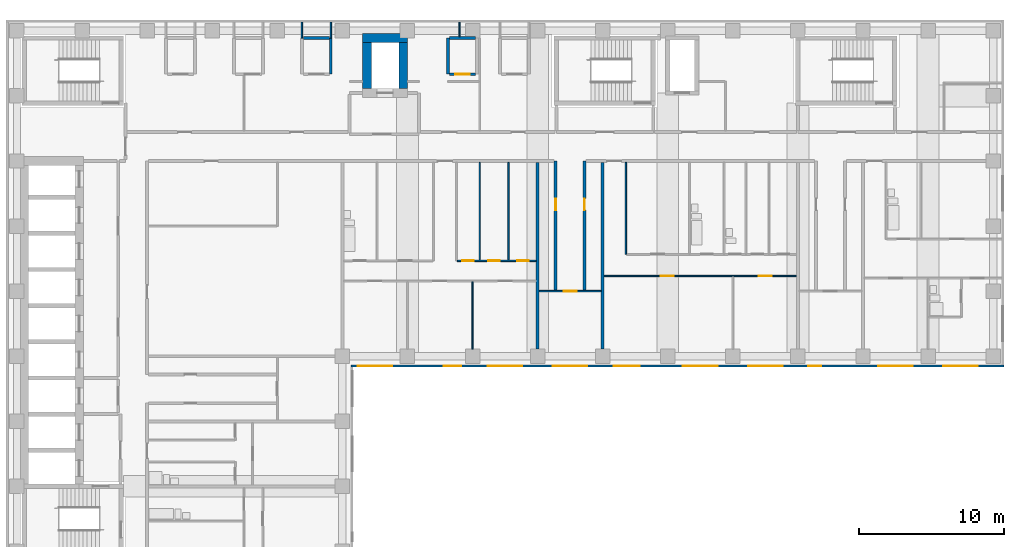
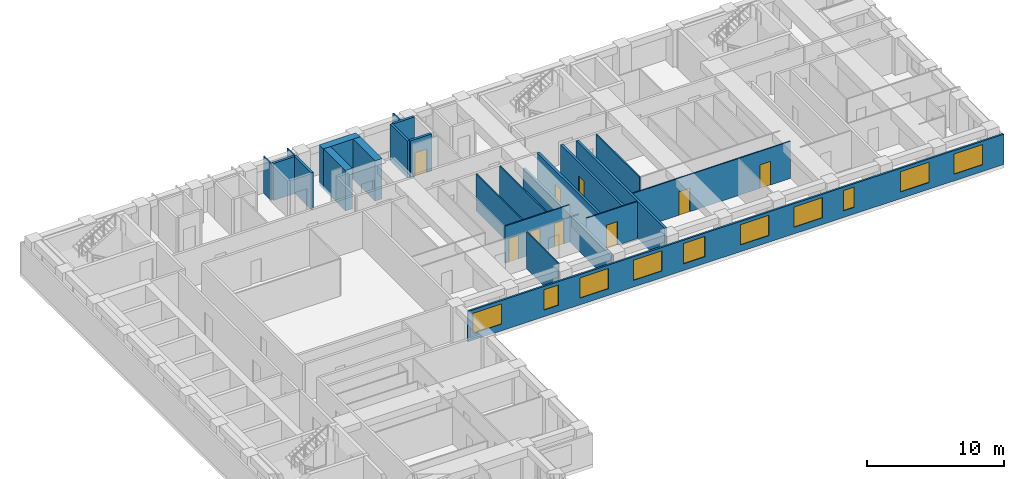
# One storey, part 6 of 11: 23 walls, 10 windows, 9 doors, 19 openings.
"""IFC4 building model written with IfcOpenShell, lengths in metres."""

from ifc_helpers import new_model, si_unit, direction, frame, frame_2d, origin, place, context, subcontext, project, spatial, rectangle, extrude, material, layer, layer_set, type_object, element, fill, save


model = new_model("IFC4")

# Units and contexts
model_context = context("Model", 3, precision=1e-05, world=origin(), true_north=direction((0.0, 1.0)))
body_context = subcontext(model_context, "Body", "Model", "MODEL_VIEW")
ifc_project = project(units=[si_unit("LENGTHUNIT", "METRE"), si_unit("AREAUNIT", "SQUARE_METRE"), si_unit("VOLUMEUNIT", "CUBIC_METRE"), si_unit("PLANEANGLEUNIT", "RADIAN"), si_unit("MASSUNIT", "GRAM", prefix="KILO")], contexts=[model_context])

# Site, building, storey
site_placement = place(None, origin())
site = spatial("IfcSite", under=ifc_project, at=site_placement, CompositionType="ELEMENT")
building_placement = place(site_placement, origin())
building = spatial("IfcBuilding", under=site, at=building_placement, Name="Firuza Court", CompositionType="ELEMENT")
storey_placement = place(building_placement, frame((0.0, 0.0, 130.39990234375)))
storey = spatial("IfcBuildingStorey", under=building, at=storey_placement, Name="L32", CompositionType="ELEMENT", Elevation=130.39990234375)

# Walls
ifc_material_1 = material(Name="Concrete C60/75", Category="concrete")
ifc_layer_1 = layer(ifc_material_1, 0.60009765625)
ifc_layer_set_1 = layer_set([ifc_layer_1], Name="Concrete C60/75")
wall_type_1 = type_object("IfcWallType", Name="Core wall 600 C60/75", PredefinedType="SHEAR", material=ifc_layer_set_1)
wall_1_placement = place(storey_placement, frame((23.89990234375, 58.0, -0.2998046875), z_axis=(0.0, 0.0, 1.0), x_axis=(1.0, 0.0, 0.0)))
element("IfcWall", 1, at=wall_1_placement, inside=storey, type_object=wall_type_1, Name="Core wall lift shaft L32", PredefinedType="SHEAR", context=body_context, shape_type="SweptSolid", body=[
    extrude(rectangle(XDim=3.10009765625, YDim=0.60009765625, at=frame_2d((1.550048828125, 0.0))), origin(), (0.0, 0.0, 1.0), 3.599853515625),
])
for number, where, z_axis, x_axis, name in (
    (2, (24.199951171875, 54.5, -0.2998046875), (0.0, 0.0, 1.0), (0.0, 1.0, 0.0), "Core wall lift shaft L32"),
    (3, (26.699951171875, 54.5, -0.2998046875), (0.0, 0.0, 1.0), (0.0, 1.0, 0.0), "Core wall lift shaft L32"),
):
    element("IfcWall", number, at=place(storey_placement, frame(where, z_axis=z_axis, x_axis=x_axis)), inside=storey, type_object=wall_type_1, Name=name, PredefinedType="SHEAR", context=body_context, shape_type="SweptSolid", body=[
        extrude(rectangle(XDim=3.199951171875, YDim=0.60009765625, at=frame_2d((1.60009765625, 0.0))), origin(), (0.0, 0.0, 1.0), 3.599853515625),
    ])

# Wall, opening, door
ifc_material_2 = material(Name="Blockwork, plastered both sides", Category="masonry")
ifc_layer_2 = layer(ifc_material_2, 0.199951171875)
ifc_layer_set_2 = layer_set([ifc_layer_2], Name="Blockwork, plastered both sides")
wall_type_2 = type_object("IfcWallType", Name="Corridor wall 200", PredefinedType="PARTITIONING", material=ifc_layer_set_2)
wall_2_placement = place(storey_placement, frame((37.25, 40.550048828125, 0.0), z_axis=(0.0, 0.0, 1.0), x_axis=(0.0, 1.0, 0.0)))
wall_2 = element("IfcWall", 4, at=wall_2_placement, inside=storey, type_object=wall_type_2, Name="Corridor wall 200 L32", PredefinedType="PARTITIONING", context=body_context, shape_type="SweptSolid", body=[
    extrude(rectangle(XDim=8.949951171875, YDim=0.199951171875, at=frame_2d((4.47509765625, 0.0))), origin(), (0.0, 0.0, 1.0), 3.300048828125),
])
opening_1_placement = place(wall_2_placement, frame((5.550048828125, 0.0, 0.0)))
opening_1 = element("IfcOpeningElement", 5, at=opening_1_placement, cuts=wall_2, Name="Opening D32041", PredefinedType="OPENING", context=body_context, shape_type="SweptSolid", body=[
    extrude(rectangle(XDim=0.800048828125, YDim=2.10009765625, at=frame_2d((0.39990234375, 1.050048828125))), frame((0.0, 0.11181640625, 0.0), z_axis=(0.0, -1.0, 0.0), x_axis=(1.0, 0.0, 0.0)), (0.0, 0.0, 1.0), 0.223876953125),
])
ifc_material_3 = material(Name="Timber door leaf in hardwood frame", Category="wood")
door_type_1 = type_object("IfcDoorType", Name="Room door 800 EI 30", OperationType="SINGLE_SWING_LEFT", PredefinedType="DOOR", material=ifc_material_3)
door_1_placement = place(opening_1_placement, origin())
door_1 = element("IfcDoor", 6, at=door_1_placement, inside=storey, type_object=door_type_1, Name="Store door", OperationType="SINGLE_SWING_RIGHT", OverallHeight=2.10009765625, OverallWidth=0.800048828125, PredefinedType="DOOR", context=body_context, shape_type="SweptSolid", body=[
    extrude(rectangle(XDim=0.800048828125, YDim=2.10009765625, at=frame_2d((0.39990234375, 1.050048828125))), frame((0.0, 0.02490234375, 0.0), z_axis=(0.0, -1.0, 0.0), x_axis=(1.0, 0.0, 0.0)), (0.0, 0.0, 1.0), 0.050048828125),
])
fill(opening_1, door_1)

wall_3_placement = place(storey_placement, frame((39.25, 40.550048828125, 0.0), z_axis=(0.0, 0.0, 1.0), x_axis=(0.0, 1.0, 0.0)))
wall_3 = element("IfcWall", 7, at=wall_3_placement, inside=storey, type_object=wall_type_2, Name="Corridor wall 200 L32", PredefinedType="PARTITIONING", context=body_context, shape_type="SweptSolid", body=[
    extrude(rectangle(XDim=8.949951171875, YDim=0.199951171875, at=frame_2d((4.47509765625, 0.0))), origin(), (0.0, 0.0, 1.0), 3.300048828125),
])
opening_2_placement = place(wall_3_placement, frame((5.550048828125, 0.0, 0.0)))
opening_2 = element("IfcOpeningElement", 8, at=opening_2_placement, cuts=wall_3, Name="Opening D32042", PredefinedType="OPENING", context=body_context, shape_type="SweptSolid", body=[
    extrude(rectangle(XDim=0.800048828125, YDim=2.10009765625, at=frame_2d((0.39990234375, 1.050048828125))), frame((0.0, 0.11181640625, 0.0), z_axis=(0.0, -1.0, 0.0), x_axis=(1.0, 0.0, 0.0)), (0.0, 0.0, 1.0), 0.223876953125),
])
door_2_placement = place(opening_2_placement, frame((0.800048828125, 0.0, 0.0), z_axis=(0.0, 0.0, 1.0), x_axis=(-1.0, 0.0, 0.0)))
door_2 = element("IfcDoor", 9, at=door_2_placement, inside=storey, type_object=door_type_1, Name="Store door", OperationType="SINGLE_SWING_LEFT", OverallHeight=2.10009765625, OverallWidth=0.800048828125, PredefinedType="DOOR", context=body_context, shape_type="SweptSolid", body=[
    extrude(rectangle(XDim=0.800048828125, YDim=2.10009765625, at=frame_2d((0.39990234375, 1.050048828125))), frame((0.0, 0.02490234375, 0.0), z_axis=(0.0, -1.0, 0.0), x_axis=(1.0, 0.0, 0.0)), (0.0, 0.0, 1.0), 0.050048828125),
])
fill(opening_2, door_2)

# Wall
ifc_material_4 = material(Name="Timber stud partition, plasterboard both sides", Category="wood")
ifc_layer_3 = layer(ifc_material_4, 0.10009765625)
ifc_layer_set_3 = layer_set([ifc_layer_3], Name="Timber stud partition, plasterboard both sides")
wall_type_3 = type_object("IfcWallType", Name="Partition wall 100", PredefinedType="PARTITIONING", material=ifc_layer_set_3)
wall_4_placement = place(storey_placement, frame((31.5, 36.5, 0.0), z_axis=(0.0, 0.0, 1.0), x_axis=(0.0, 1.0, 0.0)))
element("IfcWall", 10, at=wall_4_placement, inside=storey, type_object=wall_type_3, Name="Partition wall 100 L32", PredefinedType="PARTITIONING", context=body_context, shape_type="SweptSolid", body=[
    extrude(rectangle(XDim=4.64990234375, YDim=0.10009765625, at=frame_2d((2.324951171875, 0.0))), origin(), (0.0, 0.0, 1.0), 3.300048828125),
])

# Wall, opening, door
wall_5_placement = place(storey_placement, frame((36.10009765625, 40.5, 0.0), z_axis=(0.0, 0.0, 1.0), x_axis=(1.0, 0.0, 0.0)))
wall_5 = element("IfcWall", 11, at=wall_5_placement, inside=storey, type_object=wall_type_3, Name="Partition wall 100 L32", PredefinedType="PARTITIONING", context=body_context, shape_type="SweptSolid", body=[
    extrude(rectangle(XDim=4.2998046875, YDim=0.10009765625, at=frame_2d((2.14990234375, 0.0))), origin(), (0.0, 0.0, 1.0), 3.300048828125),
])
opening_3_placement = place(wall_5_placement, frame((1.699951171875, 0.0, 0.0)))
opening_3 = element("IfcOpeningElement", 12, at=opening_3_placement, cuts=wall_5, Name="Opening D32039", PredefinedType="OPENING", context=body_context, shape_type="SweptSolid", body=[
    extrude(rectangle(XDim=0.89990234375, YDim=2.10009765625, at=frame_2d((0.449951171875, 1.050048828125))), frame((0.0, 0.06201171875, 0.0), z_axis=(0.0, -1.0, 0.0), x_axis=(1.0, 0.0, 0.0)), (0.0, 0.0, 1.0), 0.1240234375),
])
ifc_material_5 = material(Name="Timber door leaf in hardwood frame", Category="wood")
door_type_2 = type_object("IfcDoorType", Name="Room door 900", OperationType="SINGLE_SWING_LEFT", PredefinedType="DOOR", material=ifc_material_5)
door_3_placement = place(opening_3_placement, origin())
door_3 = element("IfcDoor", 13, at=door_3_placement, inside=storey, type_object=door_type_2, Name="Reading lounge door", OperationType="SINGLE_SWING_LEFT", OverallHeight=2.10009765625, OverallWidth=0.89990234375, PredefinedType="DOOR", context=body_context, shape_type="SweptSolid", body=[
    extrude(rectangle(XDim=0.89990234375, YDim=2.10009765625, at=frame_2d((0.449951171875, 1.050048828125))), frame((0.0, 0.02490234375, 0.0), z_axis=(0.0, -1.0, 0.0), x_axis=(1.0, 0.0, 0.0)), (0.0, 0.0, 1.0), 0.050048828125),
])
fill(opening_3, door_3)

# Wall, openings, doors
wall_6_placement = place(storey_placement, frame((40.60009765625, 41.550048828125, 0.0), z_axis=(0.0, 0.0, 1.0), x_axis=(1.0, 0.0, 0.0)))
wall_6 = element("IfcWall", 14, at=wall_6_placement, inside=storey, type_object=wall_type_3, Name="Partition wall 100 L32", PredefinedType="PARTITIONING", context=body_context, shape_type="SweptSolid", body=[
    extrude(rectangle(XDim=13.2998046875, YDim=0.10009765625, at=frame_2d((6.64990234375, 0.0))), origin(), (0.0, 0.0, 1.0), 3.300048828125),
])
opening_4_placement = place(wall_6_placement, frame((3.89990234375, 0.0, 0.0)))
opening_4 = element("IfcOpeningElement", 15, at=opening_4_placement, cuts=wall_6, Name="Opening D32050", PredefinedType="OPENING", context=body_context, shape_type="SweptSolid", body=[
    extrude(rectangle(XDim=0.89990234375, YDim=2.10009765625, at=frame_2d((0.449951171875, 1.050048828125))), frame((0.0, 0.06201171875, 0.0), z_axis=(0.0, -1.0, 0.0), x_axis=(1.0, 0.0, 0.0)), (0.0, 0.0, 1.0), 0.1240234375),
])
opening_5_placement = place(wall_6_placement, frame((10.699951171875, 0.0, 0.0)))
opening_5 = element("IfcOpeningElement", 16, at=opening_5_placement, cuts=wall_6, Name="Opening D32051", PredefinedType="OPENING", context=body_context, shape_type="SweptSolid", body=[
    extrude(rectangle(XDim=0.89990234375, YDim=2.10009765625, at=frame_2d((0.449951171875, 1.050048828125))), frame((0.0, 0.06201171875, 0.0), z_axis=(0.0, -1.0, 0.0), x_axis=(1.0, 0.0, 0.0)), (0.0, 0.0, 1.0), 0.1240234375),
])
door_4_placement = place(opening_4_placement, frame((0.89990234375, 0.0, 0.0), z_axis=(0.0, 0.0, 1.0), x_axis=(-1.0, 0.0, 0.0)))
door_4 = element("IfcDoor", 17, at=door_4_placement, inside=storey, type_object=door_type_2, Name="Living room door", OperationType="SINGLE_SWING_RIGHT", OverallHeight=2.10009765625, OverallWidth=0.89990234375, PredefinedType="DOOR", context=body_context, shape_type="SweptSolid", body=[
    extrude(rectangle(XDim=0.89990234375, YDim=2.10009765625, at=frame_2d((0.449951171875, 1.050048828125))), frame((0.0, 0.02490234375, 0.0), z_axis=(0.0, -1.0, 0.0), x_axis=(1.0, 0.0, 0.0)), (0.0, 0.0, 1.0), 0.050048828125),
])
fill(opening_4, door_4)
door_5_placement = place(opening_5_placement, frame((0.89990234375, 0.0, 0.0), z_axis=(0.0, 0.0, 1.0), x_axis=(-1.0, 0.0, 0.0)))
door_5 = element("IfcDoor", 18, at=door_5_placement, inside=storey, type_object=door_type_2, Name="Bedroom door", OperationType="SINGLE_SWING_RIGHT", OverallHeight=2.10009765625, OverallWidth=0.89990234375, PredefinedType="DOOR", context=body_context, shape_type="SweptSolid", body=[
    extrude(rectangle(XDim=0.89990234375, YDim=2.10009765625, at=frame_2d((0.449951171875, 1.050048828125))), frame((0.0, 0.02490234375, 0.0), z_axis=(0.0, -1.0, 0.0), x_axis=(1.0, 0.0, 0.0)), (0.0, 0.0, 1.0), 0.050048828125),
])
fill(opening_5, door_5)

wall_7_placement = place(storey_placement, frame((30.449951171875, 42.60009765625, 0.0), z_axis=(0.0, 0.0, 1.0), x_axis=(1.0, 0.0, 0.0)))
wall_7 = element("IfcWall", 19, at=wall_7_placement, inside=storey, type_object=wall_type_3, Name="Partition wall 100 L32", PredefinedType="PARTITIONING", context=body_context, shape_type="SweptSolid", body=[
    extrude(rectangle(XDim=5.449951171875, YDim=0.10009765625, at=frame_2d((2.72509765625, 0.0))), origin(), (0.0, 0.0, 1.0), 3.300048828125),
])
opening_6_placement = place(wall_7_placement, frame((4.14990234375, 0.0, 0.0)))
opening_6 = element("IfcOpeningElement", 20, at=opening_6_placement, cuts=wall_7, Name="Opening D32054", PredefinedType="OPENING", context=body_context, shape_type="SweptSolid", body=[
    extrude(rectangle(XDim=0.800048828125, YDim=2.10009765625, at=frame_2d((0.39990234375, 1.050048828125))), frame((0.0, 0.06201171875, 0.0), z_axis=(0.0, -1.0, 0.0), x_axis=(1.0, 0.0, 0.0)), (0.0, 0.0, 1.0), 0.1240234375),
])
opening_7_placement = place(wall_7_placement, frame((0.35009765625, 0.0, 0.0)))
opening_7 = element("IfcOpeningElement", 21, at=opening_7_placement, cuts=wall_7, Name="Opening D32055", PredefinedType="OPENING", context=body_context, shape_type="SweptSolid", body=[
    extrude(rectangle(XDim=0.800048828125, YDim=2.10009765625, at=frame_2d((0.39990234375, 1.050048828125))), frame((0.0, 0.06201171875, 0.0), z_axis=(0.0, -1.0, 0.0), x_axis=(1.0, 0.0, 0.0)), (0.0, 0.0, 1.0), 0.1240234375),
])
opening_8_placement = place(wall_7_placement, frame((2.14990234375, 0.0, 0.0)))
opening_8 = element("IfcOpeningElement", 22, at=opening_8_placement, cuts=wall_7, Name="Opening D32056", PredefinedType="OPENING", context=body_context, shape_type="SweptSolid", body=[
    extrude(rectangle(XDim=0.800048828125, YDim=2.10009765625, at=frame_2d((0.39990234375, 1.050048828125))), frame((0.0, 0.06201171875, 0.0), z_axis=(0.0, -1.0, 0.0), x_axis=(1.0, 0.0, 0.0)), (0.0, 0.0, 1.0), 0.1240234375),
])
ifc_material_6 = material(Name="Timber door leaf in hardwood frame", Category="wood")
door_type_3 = type_object("IfcDoorType", Name="Room door 800", OperationType="SINGLE_SWING_LEFT", PredefinedType="DOOR", material=ifc_material_6)
door_6_placement = place(opening_6_placement, origin())
door_6 = element("IfcDoor", 23, at=door_6_placement, inside=storey, type_object=door_type_3, Name="Pantry door", OperationType="SINGLE_SWING_LEFT", OverallHeight=2.10009765625, OverallWidth=0.800048828125, PredefinedType="DOOR", context=body_context, shape_type="SweptSolid", body=[
    extrude(rectangle(XDim=0.800048828125, YDim=2.10009765625, at=frame_2d((0.39990234375, 1.050048828125))), frame((0.0, 0.02490234375, 0.0), z_axis=(0.0, -1.0, 0.0), x_axis=(1.0, 0.0, 0.0)), (0.0, 0.0, 1.0), 0.050048828125),
])
fill(opening_6, door_6)
door_7_placement = place(opening_7_placement, origin())
door_7 = element("IfcDoor", 24, at=door_7_placement, inside=storey, type_object=door_type_3, Name="Store door", OperationType="SINGLE_SWING_LEFT", OverallHeight=2.10009765625, OverallWidth=0.800048828125, PredefinedType="DOOR", context=body_context, shape_type="SweptSolid", body=[
    extrude(rectangle(XDim=0.800048828125, YDim=2.10009765625, at=frame_2d((0.39990234375, 1.050048828125))), frame((0.0, 0.02490234375, 0.0), z_axis=(0.0, -1.0, 0.0), x_axis=(1.0, 0.0, 0.0)), (0.0, 0.0, 1.0), 0.050048828125),
])
fill(opening_7, door_7)
door_8_placement = place(opening_8_placement, origin())
door_8 = element("IfcDoor", 25, at=door_8_placement, inside=storey, type_object=door_type_3, Name="Utility room door", OperationType="SINGLE_SWING_LEFT", OverallHeight=2.10009765625, OverallWidth=0.800048828125, PredefinedType="DOOR", context=body_context, shape_type="SweptSolid", body=[
    extrude(rectangle(XDim=0.800048828125, YDim=2.10009765625, at=frame_2d((0.39990234375, 1.050048828125))), frame((0.0, 0.02490234375, 0.0), z_axis=(0.0, -1.0, 0.0), x_axis=(1.0, 0.0, 0.0)), (0.0, 0.0, 1.0), 0.050048828125),
])
fill(opening_8, door_8)

# Walls
for number, where, z_axis, x_axis, name in (
    (26, (32.0, 42.64990234375, 0.0), (0.0, 0.0, 1.0), (0.0, 1.0, 0.0), "Partition wall 100 L32"),
    (27, (34.0, 42.64990234375, 0.0), (0.0, 0.0, 1.0), (0.0, 1.0, 0.0), "Partition wall 100 L32"),
):
    element("IfcWall", number, at=place(storey_placement, frame(where, z_axis=z_axis, x_axis=x_axis)), inside=storey, type_object=wall_type_3, Name=name, PredefinedType="PARTITIONING", context=body_context, shape_type="SweptSolid", body=[
        extrude(rectangle(XDim=6.75, YDim=0.10009765625, at=frame_2d((3.375, 0.0))), origin(), (0.0, 0.0, 1.0), 3.300048828125),
    ])
wall_8_placement = place(storey_placement, frame((42.10009765625, 43.050048828125, 0.0), z_axis=(0.0, 0.0, 1.0), x_axis=(0.0, 1.0, 0.0)))
element("IfcWall", 28, at=wall_8_placement, inside=storey, type_object=wall_type_3, Name="Partition wall 100 L32", PredefinedType="PARTITIONING", context=body_context, shape_type="SweptSolid", body=[
    extrude(rectangle(XDim=6.349853515625, YDim=0.10009765625, at=frame_2d((3.1748046875, 0.0))), origin(), (0.0, 0.0, 1.0), 3.300048828125),
])
for number, where, z_axis, x_axis, name in (
    (29, (19.699951171875, 58.0, 0.0), (0.0, 0.0, 1.0), (0.0, 1.0, 0.0), "Partition wall 100 L32"),
    (30, (21.699951171875, 58.0, 0.0), (0.0, 0.0, 1.0), (0.0, 1.0, 0.0), "Partition wall 100 L32"),
):
    element("IfcWall", number, at=place(storey_placement, frame(where, z_axis=z_axis, x_axis=x_axis)), inside=storey, type_object=wall_type_3, Name=name, PredefinedType="PARTITIONING", context=body_context, shape_type="SweptSolid", body=[
        extrude(rectangle(XDim=1.10009765625, YDim=0.10009765625, at=frame_2d((0.550048828125, 0.0))), origin(), (0.0, 0.0, 1.0), 3.300048828125),
    ])
wall_9_placement = place(storey_placement, frame((30.60009765625, 58.10009765625, 0.0), z_axis=(0.0, 0.0, 1.0), x_axis=(0.0, 1.0, 0.0)))
element("IfcWall", 31, at=wall_9_placement, inside=storey, type_object=wall_type_3, Name="Partition wall 100 L32", PredefinedType="PARTITIONING", context=body_context, shape_type="SweptSolid", body=[
    extrude(rectangle(XDim=1.0, YDim=0.10009765625, at=frame_2d((0.5, 0.0))), origin(), (0.0, 0.0, 1.0), 3.300048828125),
])
ifc_layer_4 = layer(ifc_material_2, 0.199951171875)
ifc_layer_set_4 = layer_set([ifc_layer_4], Name="Blockwork, plastered both sides")
wall_type_4 = type_object("IfcWallType", Name="Party wall 200", PredefinedType="PARTITIONING", material=ifc_layer_set_4)
wall_10_placement = place(storey_placement, frame((36.0, 36.5, 0.0), z_axis=(0.0, 0.0, 1.0), x_axis=(0.0, 1.0, 0.0)))
element("IfcWall", 32, at=wall_10_placement, inside=storey, type_object=wall_type_4, Name="Party wall 200 L32", PredefinedType="PARTITIONING", context=body_context, shape_type="SweptSolid", body=[
    extrude(rectangle(XDim=12.89990234375, YDim=0.199951171875, at=frame_2d((6.449951171875, 0.0))), origin(), (0.0, 0.0, 1.0), 2.400146484375),
])
wall_11_placement = place(storey_placement, frame((40.5, 36.5, 0.0), z_axis=(0.0, 0.0, 1.0), x_axis=(0.0, 1.0, 0.0)))
element("IfcWall", 33, at=wall_11_placement, inside=storey, type_object=wall_type_4, Name="Party wall 200 L32", PredefinedType="PARTITIONING", context=body_context, shape_type="SweptSolid", body=[
    extrude(rectangle(XDim=12.89990234375, YDim=0.199951171875, at=frame_2d((6.449951171875, 0.0))), origin(), (0.0, 0.0, 1.0), 3.300048828125),
])
ifc_material_7 = material(Name="Blockwork, fire-rated", Category="masonry")
ifc_layer_5 = layer(ifc_material_7, 0.199951171875)
ifc_layer_set_5 = layer_set([ifc_layer_5], Name="Blockwork, fire-rated")
wall_type_5 = type_object("IfcWallType", Name="Plant room wall 200", PredefinedType="PARTITIONING", material=ifc_layer_set_5)
for number, where, z_axis, x_axis, name in (
    (34, (21.699951171875, 55.5, 0.0), (0.0, 0.0, 1.0), (0.0, 1.0, 0.0), "Plant room wall 200 L32"),
    (35, (29.800048828125, 55.5, 0.0), (0.0, 0.0, 1.0), (0.0, 1.0, 0.0), "Plant room wall 200 L32"),
):
    element("IfcWall", number, at=place(storey_placement, frame(where, z_axis=z_axis, x_axis=x_axis)), inside=storey, type_object=wall_type_5, Name=name, PredefinedType="PARTITIONING", context=body_context, shape_type="SweptSolid", body=[
        extrude(rectangle(XDim=2.5, YDim=0.199951171875, at=frame_2d((1.25, 0.0))), origin(), (0.0, 0.0, 1.0), 3.300048828125),
    ])

# Wall, opening, door
wall_12_placement = place(storey_placement, frame((29.89990234375, 55.5, 0.0), z_axis=(0.0, 0.0, 1.0), x_axis=(1.0, 0.0, 0.0)))
wall_12 = element("IfcWall", 36, at=wall_12_placement, inside=storey, type_object=wall_type_5, Name="Plant room wall 200 L32", PredefinedType="PARTITIONING", context=body_context, shape_type="SweptSolid", body=[
    extrude(rectangle(XDim=1.800048828125, YDim=0.199951171875, at=frame_2d((0.89990234375, 0.0))), origin(), (0.0, 0.0, 1.0), 3.300048828125),
])
opening_9_placement = place(wall_12_placement, frame((0.39990234375, 0.0, 0.0)))
opening_9 = element("IfcOpeningElement", 37, at=opening_9_placement, cuts=wall_12, Name="Opening D32079", PredefinedType="OPENING", context=body_context, shape_type="SweptSolid", body=[
    extrude(rectangle(XDim=1.0, YDim=2.10009765625, at=frame_2d((0.5, 1.050048828125))), frame((0.0, 0.11181640625, 0.0), z_axis=(0.0, -1.0, 0.0), x_axis=(1.0, 0.0, 0.0)), (0.0, 0.0, 1.0), 0.223876953125),
])
ifc_material_8 = material(Name="Timber door leaf in hardwood frame", Category="wood")
door_type_4 = type_object("IfcDoorType", Name="Riser door 1000", OperationType="SINGLE_SWING_LEFT", PredefinedType="DOOR", material=ifc_material_8)
door_9_placement = place(opening_9_placement, origin())
door_9 = element("IfcDoor", 38, at=door_9_placement, inside=storey, type_object=door_type_4, Name="Electrical riser door", OperationType="SINGLE_SWING_LEFT", OverallHeight=2.10009765625, OverallWidth=1.0, PredefinedType="DOOR", context=body_context, shape_type="SweptSolid", body=[
    extrude(rectangle(XDim=1.0, YDim=2.10009765625, at=frame_2d((0.5, 1.050048828125))), frame((0.0, 0.02490234375, 0.0), z_axis=(0.0, -1.0, 0.0), x_axis=(1.0, 0.0, 0.0)), (0.0, 0.0, 1.0), 0.050048828125),
])
fill(opening_9, door_9)

# Walls
for number, where, z_axis, x_axis, name in (
    (39, (19.800048828125, 58.0, 0.0), (0.0, 0.0, 1.0), (1.0, 0.0, 0.0), "Plant room wall 200 L32"),
    (40, (29.89990234375, 58.0, 0.0), (0.0, 0.0, 1.0), (1.0, 0.0, 0.0), "Plant room wall 200 L32"),
):
    element("IfcWall", number, at=place(storey_placement, frame(where, z_axis=z_axis, x_axis=x_axis)), inside=storey, type_object=wall_type_5, Name=name, PredefinedType="PARTITIONING", context=body_context, shape_type="SweptSolid", body=[
        extrude(rectangle(XDim=1.800048828125, YDim=0.199951171875, at=frame_2d((0.89990234375, 0.0))), origin(), (0.0, 0.0, 1.0), 3.300048828125),
    ])

# Wall, openings, windows
ifc_material_9 = material(Name="Ceramic tile", Category="ceramic")
ifc_layer_6 = layer(ifc_material_9, 0.02001953125)
ifc_material_10 = material(Name="Mineral wool insulation", Category="insulation")
ifc_layer_7 = layer(ifc_material_10, 0.050048828125)
ifc_material_11 = material(Name="Concrete C40/50 precast", Category="concrete")
ifc_layer_8 = layer(ifc_material_11, 0.080078125)
ifc_layer_set_6 = layer_set([ifc_layer_6, ifc_layer_7, ifc_layer_8], Name="Concrete C40/50 precast")
wall_type_6 = type_object("IfcWallType", Name="Precast cladding wall with turquoise TILE PANEL face 150", PredefinedType="STANDARD", material=ifc_layer_set_6)
wall_13_placement = place(storey_placement, frame((23.10009765625, 35.324951171875, 0.0), z_axis=(0.0, 0.0, 1.0), x_axis=(1.0, 0.0, 0.0)))
wall_13 = element("IfcWall", 41, at=wall_13_placement, inside=storey, type_object=wall_type_6, Name="Facade wall L32 S", PredefinedType="STANDARD", context=body_context, shape_type="SweptSolid", body=[
    extrude(rectangle(XDim=45.14990234375, YDim=0.14990234375, at=frame_2d((22.574951171875, 0.0))), origin(), (0.0, 0.0, 1.0), 2.7001953125),
])
opening_10_placement = place(wall_13_placement, frame((0.449951171875, 0.0, 0.60009765625)))
opening_10 = element("IfcOpeningElement", 42, at=opening_10_placement, cuts=wall_13, Name="Opening W1", PredefinedType="OPENING", context=body_context, shape_type="SweptSolid", body=[
    extrude(rectangle(XDim=2.39990234375, YDim=1.800048828125, at=frame_2d((1.199951171875, 0.89990234375))), frame((0.0, 0.0869140625, 0.0), z_axis=(0.0, -1.0, 0.0), x_axis=(1.0, 0.0, 0.0)), (0.0, 0.0, 1.0), 0.173828125),
])
opening_11_placement = place(wall_13_placement, frame((6.41650390625, 0.0, 0.60009765625)))
opening_11 = element("IfcOpeningElement", 43, at=opening_11_placement, cuts=wall_13, Name="Opening W8", PredefinedType="OPENING", context=body_context, shape_type="SweptSolid", body=[
    extrude(rectangle(XDim=1.199951171875, YDim=1.800048828125, at=frame_2d((0.60009765625, 0.89990234375))), frame((0.0, 0.0869140625, 0.0), z_axis=(0.0, -1.0, 0.0), x_axis=(1.0, 0.0, 0.0)), (0.0, 0.0, 1.0), 0.173828125),
])
opening_12_placement = place(wall_13_placement, frame((9.449951171875, 0.0, 0.60009765625)))
opening_12 = element("IfcOpeningElement", 44, at=opening_12_placement, cuts=wall_13, Name="Opening W1", PredefinedType="OPENING", context=body_context, shape_type="SweptSolid", body=[
    extrude(rectangle(XDim=2.39990234375, YDim=1.800048828125, at=frame_2d((1.199951171875, 0.89990234375))), frame((0.0, 0.0869140625, 0.0), z_axis=(0.0, -1.0, 0.0), x_axis=(1.0, 0.0, 0.0)), (0.0, 0.0, 1.0), 0.173828125),
])
opening_13_placement = place(wall_13_placement, frame((13.949951171875, 0.0, 0.60009765625)))
opening_13 = element("IfcOpeningElement", 45, at=opening_13_placement, cuts=wall_13, Name="Opening W1", PredefinedType="OPENING", context=body_context, shape_type="SweptSolid", body=[
    extrude(rectangle(XDim=2.39990234375, YDim=1.800048828125, at=frame_2d((1.199951171875, 0.89990234375))), frame((0.0, 0.0869140625, 0.0), z_axis=(0.0, -1.0, 0.0), x_axis=(1.0, 0.0, 0.0)), (0.0, 0.0, 1.0), 0.173828125),
])
opening_14_placement = place(wall_13_placement, frame((18.15966796875, 0.0, 0.60009765625)))
opening_14 = element("IfcOpeningElement", 46, at=opening_14_placement, cuts=wall_13, Name="Opening W7", PredefinedType="OPENING", context=body_context, shape_type="SweptSolid", body=[
    extrude(rectangle(XDim=1.800048828125, YDim=1.800048828125, at=frame_2d((0.89990234375, 0.89990234375))), frame((0.0, 0.0869140625, 0.0), z_axis=(0.0, -1.0, 0.0), x_axis=(1.0, 0.0, 0.0)), (0.0, 0.0, 1.0), 0.173828125),
])
opening_15_placement = place(wall_13_placement, frame((22.949951171875, 0.0, 0.60009765625)))
opening_15 = element("IfcOpeningElement", 47, at=opening_15_placement, cuts=wall_13, Name="Opening W1", PredefinedType="OPENING", context=body_context, shape_type="SweptSolid", body=[
    extrude(rectangle(XDim=2.39990234375, YDim=1.800048828125, at=frame_2d((1.199951171875, 0.89990234375))), frame((0.0, 0.0869140625, 0.0), z_axis=(0.0, -1.0, 0.0), x_axis=(1.0, 0.0, 0.0)), (0.0, 0.0, 1.0), 0.173828125),
])
opening_16_placement = place(wall_13_placement, frame((27.449951171875, 0.0, 0.60009765625)))
opening_16 = element("IfcOpeningElement", 48, at=opening_16_placement, cuts=wall_13, Name="Opening W1", PredefinedType="OPENING", context=body_context, shape_type="SweptSolid", body=[
    extrude(rectangle(XDim=2.39990234375, YDim=1.800048828125, at=frame_2d((1.199951171875, 0.89990234375))), frame((0.0, 0.0869140625, 0.0), z_axis=(0.0, -1.0, 0.0), x_axis=(1.0, 0.0, 0.0)), (0.0, 0.0, 1.0), 0.173828125),
])
opening_17_placement = place(wall_13_placement, frame((31.630615234375, 0.0, 0.60009765625)))
opening_17 = element("IfcOpeningElement", 49, at=opening_17_placement, cuts=wall_13, Name="Opening W3", PredefinedType="OPENING", context=body_context, shape_type="SweptSolid", body=[
    extrude(rectangle(XDim=0.89990234375, YDim=1.800048828125, at=frame_2d((0.449951171875, 0.89990234375))), frame((0.0, 0.0869140625, 0.0), z_axis=(0.0, -1.0, 0.0), x_axis=(1.0, 0.0, 0.0)), (0.0, 0.0, 1.0), 0.173828125),
])
opening_18_placement = place(wall_13_placement, frame((36.449951171875, 0.0, 0.60009765625)))
opening_18 = element("IfcOpeningElement", 50, at=opening_18_placement, cuts=wall_13, Name="Opening W1", PredefinedType="OPENING", context=body_context, shape_type="SweptSolid", body=[
    extrude(rectangle(XDim=2.39990234375, YDim=1.800048828125, at=frame_2d((1.199951171875, 0.89990234375))), frame((0.0, 0.0869140625, 0.0), z_axis=(0.0, -1.0, 0.0), x_axis=(1.0, 0.0, 0.0)), (0.0, 0.0, 1.0), 0.173828125),
])
opening_19_placement = place(wall_13_placement, frame((40.949951171875, 0.0, 0.60009765625)))
opening_19 = element("IfcOpeningElement", 51, at=opening_19_placement, cuts=wall_13, Name="Opening W1", PredefinedType="OPENING", context=body_context, shape_type="SweptSolid", body=[
    extrude(rectangle(XDim=2.39990234375, YDim=1.800048828125, at=frame_2d((1.199951171875, 0.89990234375))), frame((0.0, 0.0869140625, 0.0), z_axis=(0.0, -1.0, 0.0), x_axis=(1.0, 0.0, 0.0)), (0.0, 0.0, 1.0), 0.173828125),
])
ifc_material_12 = material(Name="Aluminium frame, triple clear glazing", Category="aluminium")
window_type_1 = type_object("IfcWindowType", Name="Window W1 2400 x 1800", PartitioningType="SINGLE_PANEL", PredefinedType="WINDOW", material=ifc_material_12)
window_1_placement = place(opening_10_placement, origin())
window_1 = element("IfcWindow", 52, at=window_1_placement, inside=storey, type_object=window_type_1, Name="Window L32", OverallHeight=1.800048828125, OverallWidth=2.39990234375, PartitioningType="SINGLE_PANEL", PredefinedType="WINDOW", context=body_context, shape_type="SweptSolid", body=[
    extrude(rectangle(XDim=2.39990234375, YDim=1.800048828125, at=frame_2d((1.199951171875, 0.89990234375))), frame((0.0, 0.030029296875, 0.0), z_axis=(0.0, -1.0, 0.0), x_axis=(1.0, 0.0, 0.0)), (0.0, 0.0, 1.0), 0.06005859375),
])
fill(opening_10, window_1)
window_2_placement = place(opening_12_placement, origin())
window_2 = element("IfcWindow", 53, at=window_2_placement, inside=storey, type_object=window_type_1, Name="Window L32", OverallHeight=1.800048828125, OverallWidth=2.39990234375, PartitioningType="SINGLE_PANEL", PredefinedType="WINDOW", context=body_context, shape_type="SweptSolid", body=[
    extrude(rectangle(XDim=2.39990234375, YDim=1.800048828125, at=frame_2d((1.199951171875, 0.89990234375))), frame((0.0, 0.030029296875, 0.0), z_axis=(0.0, -1.0, 0.0), x_axis=(1.0, 0.0, 0.0)), (0.0, 0.0, 1.0), 0.06005859375),
])
fill(opening_12, window_2)
window_3_placement = place(opening_13_placement, origin())
window_3 = element("IfcWindow", 54, at=window_3_placement, inside=storey, type_object=window_type_1, Name="Window L32", OverallHeight=1.800048828125, OverallWidth=2.39990234375, PartitioningType="SINGLE_PANEL", PredefinedType="WINDOW", context=body_context, shape_type="SweptSolid", body=[
    extrude(rectangle(XDim=2.39990234375, YDim=1.800048828125, at=frame_2d((1.199951171875, 0.89990234375))), frame((0.0, 0.030029296875, 0.0), z_axis=(0.0, -1.0, 0.0), x_axis=(1.0, 0.0, 0.0)), (0.0, 0.0, 1.0), 0.06005859375),
])
fill(opening_13, window_3)
window_4_placement = place(opening_15_placement, origin())
window_4 = element("IfcWindow", 55, at=window_4_placement, inside=storey, type_object=window_type_1, Name="Window L32", OverallHeight=1.800048828125, OverallWidth=2.39990234375, PartitioningType="SINGLE_PANEL", PredefinedType="WINDOW", context=body_context, shape_type="SweptSolid", body=[
    extrude(rectangle(XDim=2.39990234375, YDim=1.800048828125, at=frame_2d((1.199951171875, 0.89990234375))), frame((0.0, 0.030029296875, 0.0), z_axis=(0.0, -1.0, 0.0), x_axis=(1.0, 0.0, 0.0)), (0.0, 0.0, 1.0), 0.06005859375),
])
fill(opening_15, window_4)
window_5_placement = place(opening_16_placement, origin())
window_5 = element("IfcWindow", 56, at=window_5_placement, inside=storey, type_object=window_type_1, Name="Window L32", OverallHeight=1.800048828125, OverallWidth=2.39990234375, PartitioningType="SINGLE_PANEL", PredefinedType="WINDOW", context=body_context, shape_type="SweptSolid", body=[
    extrude(rectangle(XDim=2.39990234375, YDim=1.800048828125, at=frame_2d((1.199951171875, 0.89990234375))), frame((0.0, 0.030029296875, 0.0), z_axis=(0.0, -1.0, 0.0), x_axis=(1.0, 0.0, 0.0)), (0.0, 0.0, 1.0), 0.06005859375),
])
fill(opening_16, window_5)
window_6_placement = place(opening_18_placement, origin())
window_6 = element("IfcWindow", 57, at=window_6_placement, inside=storey, type_object=window_type_1, Name="Window L32", OverallHeight=1.800048828125, OverallWidth=2.39990234375, PartitioningType="SINGLE_PANEL", PredefinedType="WINDOW", context=body_context, shape_type="SweptSolid", body=[
    extrude(rectangle(XDim=2.39990234375, YDim=1.800048828125, at=frame_2d((1.199951171875, 0.89990234375))), frame((0.0, 0.030029296875, 0.0), z_axis=(0.0, -1.0, 0.0), x_axis=(1.0, 0.0, 0.0)), (0.0, 0.0, 1.0), 0.06005859375),
])
fill(opening_18, window_6)
window_7_placement = place(opening_19_placement, origin())
window_7 = element("IfcWindow", 58, at=window_7_placement, inside=storey, type_object=window_type_1, Name="Window L32", OverallHeight=1.800048828125, OverallWidth=2.39990234375, PartitioningType="SINGLE_PANEL", PredefinedType="WINDOW", context=body_context, shape_type="SweptSolid", body=[
    extrude(rectangle(XDim=2.39990234375, YDim=1.800048828125, at=frame_2d((1.199951171875, 0.89990234375))), frame((0.0, 0.030029296875, 0.0), z_axis=(0.0, -1.0, 0.0), x_axis=(1.0, 0.0, 0.0)), (0.0, 0.0, 1.0), 0.06005859375),
])
fill(opening_19, window_7)
ifc_material_13 = material(Name="Aluminium frame, triple clear glazing", Category="aluminium")
window_type_2 = type_object("IfcWindowType", Name="Window W3 900 x 1800", PartitioningType="SINGLE_PANEL", PredefinedType="WINDOW", material=ifc_material_13)
window_8_placement = place(opening_17_placement, origin())
window_8 = element("IfcWindow", 59, at=window_8_placement, inside=storey, type_object=window_type_2, Name="Window L32", OverallHeight=1.800048828125, OverallWidth=0.89990234375, PartitioningType="SINGLE_PANEL", PredefinedType="WINDOW", context=body_context, shape_type="SweptSolid", body=[
    extrude(rectangle(XDim=0.89990234375, YDim=1.800048828125, at=frame_2d((0.449951171875, 0.89990234375))), frame((0.0, 0.030029296875, 0.0), z_axis=(0.0, -1.0, 0.0), x_axis=(1.0, 0.0, 0.0)), (0.0, 0.0, 1.0), 0.06005859375),
])
fill(opening_17, window_8)
ifc_material_14 = material(Name="Aluminium frame, triple clear glazing", Category="aluminium")
window_type_3 = type_object("IfcWindowType", Name="Window W7 1800 x 1800", PartitioningType="SINGLE_PANEL", PredefinedType="WINDOW", material=ifc_material_14)
window_9_placement = place(opening_14_placement, origin())
window_9 = element("IfcWindow", 60, at=window_9_placement, inside=storey, type_object=window_type_3, Name="Window L32", OverallHeight=1.800048828125, OverallWidth=1.800048828125, PartitioningType="SINGLE_PANEL", PredefinedType="WINDOW", context=body_context, shape_type="SweptSolid", body=[
    extrude(rectangle(XDim=1.800048828125, YDim=1.800048828125, at=frame_2d((0.89990234375, 0.89990234375))), frame((0.0, 0.030029296875, 0.0), z_axis=(0.0, -1.0, 0.0), x_axis=(1.0, 0.0, 0.0)), (0.0, 0.0, 1.0), 0.06005859375),
])
fill(opening_14, window_9)
ifc_material_15 = material(Name="Aluminium frame, triple clear glazing", Category="aluminium")
window_type_4 = type_object("IfcWindowType", Name="Window W8 1200 x 1800", PartitioningType="SINGLE_PANEL", PredefinedType="WINDOW", material=ifc_material_15)
window_10_placement = place(opening_11_placement, origin())
window_10 = element("IfcWindow", 61, at=window_10_placement, inside=storey, type_object=window_type_4, Name="Window L32", OverallHeight=1.800048828125, OverallWidth=1.199951171875, PartitioningType="SINGLE_PANEL", PredefinedType="WINDOW", context=body_context, shape_type="SweptSolid", body=[
    extrude(rectangle(XDim=1.199951171875, YDim=1.800048828125, at=frame_2d((0.60009765625, 0.89990234375))), frame((0.0, 0.030029296875, 0.0), z_axis=(0.0, -1.0, 0.0), x_axis=(1.0, 0.0, 0.0)), (0.0, 0.0, 1.0), 0.06005859375),
])
fill(opening_11, window_10)

save(model, "model.ifc")
